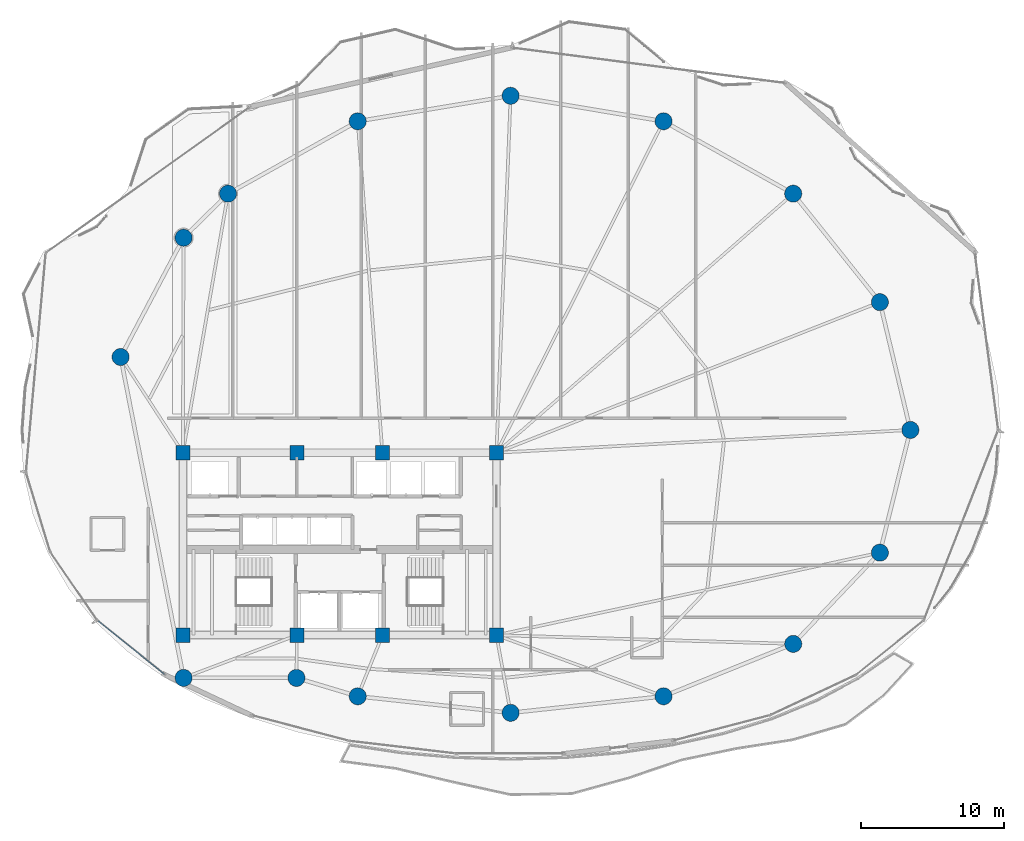
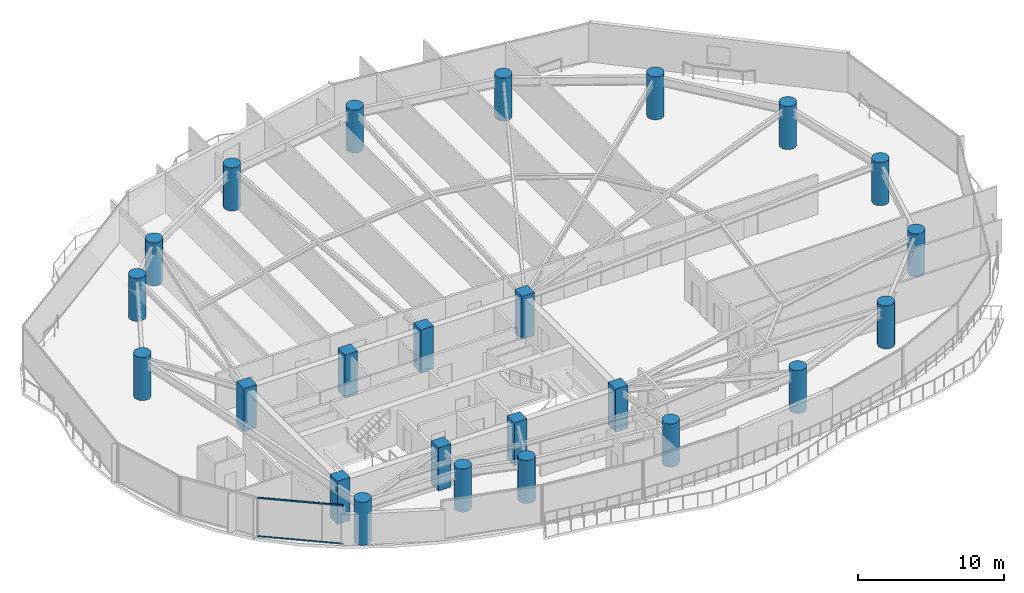
# One storey, part 1 of 33: 24 columns, 2 members, 1 element without a shape of its own.
"""IFC4 building model written with IfcOpenShell, lengths in metres."""

from ifc_helpers import new_model, si_unit, direction, frame, origin, origin_2d, place, context, subcontext, project, spatial, rectangle, hollow_rectangle, circle, extrude, material, layer, layer_set, material_profile, profile_set, type_object, element, aggregate, save


model = new_model("IFC4")

# Units and contexts
model_context = context("Model", 3, precision=1e-05, world=origin(), true_north=direction((0.0, 1.0)))
body_context = subcontext(model_context, "Body", "Model", "MODEL_VIEW")
ifc_project = project(units=[si_unit("LENGTHUNIT", "METRE"), si_unit("AREAUNIT", "SQUARE_METRE"), si_unit("VOLUMEUNIT", "CUBIC_METRE"), si_unit("PLANEANGLEUNIT", "RADIAN"), si_unit("MASSUNIT", "GRAM", prefix="KILO")], contexts=[model_context])

# Site, building, storey
site_placement = place(None, origin())
site = spatial("IfcSite", under=ifc_project, at=site_placement, CompositionType="ELEMENT")
building_placement = place(site_placement, origin())
building = spatial("IfcBuilding", under=site, at=building_placement, Name="Kazevale Care Tower and Concert Hall", CompositionType="ELEMENT")
storey_placement = place(building_placement, frame((0.0, 0.0, 178.199951171875)))
storey = spatial("IfcBuildingStorey", under=building, at=storey_placement, Name="L47", CompositionType="ELEMENT", Elevation=178.199951171875)

# Columns
ifc_material_1 = material(Name="Concrete C60", Category="concrete")
ifc_material_profile_1 = material_profile(ifc_material_1, rectangle(XDim=1.0, YDim=1.0, at=origin_2d()), Name="RC-SQ1000")
ifc_profile_set_1 = profile_set([ifc_material_profile_1], Name="Concrete C60")
column_type_1 = type_object("IfcColumnType", Name="Core Column SQ1000 C60", PredefinedType="COLUMN", material=ifc_profile_set_1)
for number, where, z_axis, x_axis, name in (
    (1, (22.0, 23.60009765625, 0.0), (0.0, 0.0, 1.0), (1.0, 0.0, 0.0), "col:L47:CC-01"),
    (2, (30.0, 23.60009765625, 0.0), (0.0, 0.0, 1.0), (1.0, 0.0, 0.0), "col:L47:CC-02"),
    (3, (36.0, 23.60009765625, 0.0), (0.0, 0.0, 1.0), (1.0, 0.0, 0.0), "col:L47:CC-03"),
    (4, (44.0, 23.60009765625, 0.0), (0.0, 0.0, 1.0), (1.0, 0.0, 0.0), "col:L47:CC-04"),
    (5, (44.0, 36.39990234375, 0.0), (0.0, 0.0, 1.0), (1.0, 0.0, 0.0), "col:L47:CC-05"),
    (6, (36.0, 36.39990234375, 0.0), (0.0, 0.0, 1.0), (1.0, 0.0, 0.0), "col:L47:CC-06"),
    (7, (30.0, 36.39990234375, 0.0), (0.0, 0.0, 1.0), (1.0, 0.0, 0.0), "col:L47:CC-07"),
    (8, (22.0, 36.39990234375, 0.0), (0.0, 0.0, 1.0), (1.0, 0.0, 0.0), "col:L47:CC-08"),
):
    element("IfcColumn", number, at=place(storey_placement, frame(where, z_axis=z_axis, x_axis=x_axis)), inside=storey, type_object=column_type_1, Name=name, PredefinedType="COLUMN", context=body_context, shape_type="SweptSolid", body=[
        extrude(rectangle(XDim=1.0, YDim=1.0, at=origin_2d()), origin(), (0.0, 0.0, 1.0), 3.60009765625),
    ])
ifc_material_profile_2 = material_profile(ifc_material_1, circle(Radius=0.60009765625, at=origin_2d()), Name="RC-CIR1200")
ifc_profile_set_2 = profile_set([ifc_material_profile_2], Name="Concrete C60")
column_type_2 = type_object("IfcColumnType", Name="Perimeter Column CIR1200 C60", PredefinedType="COLUMN", material=ifc_profile_set_2)
for number, where, z_axis, x_axis, name in (
    (9, (73.050048828125, 38.0, 0.0), (0.0, 0.0, 1.0), (1.0, 0.0, 0.0), "col:L47:PC-01"),
    (10, (70.909912109375, 46.969970703125, 0.0), (0.0, 0.0, 1.0), (1.0, 0.0, 0.0), "col:L47:PC-02"),
    (11, (64.830078125, 54.580078125, 0.0), (0.0, 0.0, 1.0), (1.0, 0.0, 0.0), "col:L47:PC-03"),
    (12, (55.72998046875, 59.659912109375, 0.0), (0.0, 0.0, 1.0), (1.0, 0.0, 0.0), "col:L47:PC-04"),
    (13, (45.0, 61.449951171875, 0.0), (0.0, 0.0, 1.0), (1.0, 0.0, 0.0), "col:L47:PC-05"),
    (14, (34.27001953125, 59.659912109375, 0.0), (0.0, 0.0, 1.0), (1.0, 0.0, 0.0), "col:L47:PC-06"),
    (15, (25.169921875, 54.580078125, 0.0), (0.0, 0.0, 1.0), (1.0, 0.0, 0.0), "col:L47:PC-07"),
    (16, (22.050048828125, 51.489990234375, 0.0), (0.0, 0.0, 1.0), (1.0, 0.0, 0.0), "col:L47:PC-08"),
    (17, (17.6298828125, 43.1201171875, 0.0), (0.0, 0.0, 1.0), (1.0, 0.0, 0.0), "col:L47:PC-09"),
    (18, (22.050048828125, 20.60009765625, 0.0), (0.0, 0.0, 1.0), (1.0, 0.0, 0.0), "col:L47:PC-10"),
    (19, (29.969970703125, 20.60009765625, 0.0), (0.0, 0.0, 1.0), (1.0, 0.0, 0.0), "col:L47:PC-11"),
    (20, (34.27001953125, 19.31005859375, 0.0), (0.0, 0.0, 1.0), (1.0, 0.0, 0.0), "col:L47:PC-12"),
    (21, (45.0, 18.14990234375, 0.0), (0.0, 0.0, 1.0), (1.0, 0.0, 0.0), "col:L47:PC-13"),
    (22, (55.72998046875, 19.31005859375, 0.0), (0.0, 0.0, 1.0), (1.0, 0.0, 0.0), "col:L47:PC-14"),
    (23, (64.830078125, 22.989990234375, 0.0), (0.0, 0.0, 1.0), (1.0, 0.0, 0.0), "col:L47:PC-15"),
    (24, (70.909912109375, 29.389892578125, 0.0), (0.0, 0.0, 1.0), (1.0, 0.0, 0.0), "col:L47:PC-16"),
):
    element("IfcColumn", number, at=place(storey_placement, frame(where, z_axis=z_axis, x_axis=x_axis)), inside=storey, type_object=column_type_2, Name=name, PredefinedType="COLUMN", context=body_context, shape_type="SweptSolid", body=[
        extrude(circle(Radius=0.60009765625, at=origin_2d()), origin(), (0.0, 0.0, 1.0), 3.60009765625),
    ])

# Curtain wall, members
ifc_material_2 = material(Name="Aluminium 6063-T6 and Low-E Glass", Category="aluminium")
ifc_layer = layer(ifc_material_2, 0.179931640625)
ifc_layer_set = layer_set([ifc_layer], Name="Aluminium 6063-T6 and Low-E Glass")
curtain_wall_type = type_object("IfcCurtainWallType", Name="Sheltered Concave Balcony Curtain Wall CW-5", PredefinedType="NOTDEFINED", material=ifc_layer_set)
curtain_wall_placement = place(storey_placement, origin())
curtain_wall = element("IfcCurtainWall", 25, at=curtain_wall_placement, inside=storey, type_object=curtain_wall_type, Name="cw:L47:f10", PredefinedType="NOTDEFINED")
ifc_material_3 = material(Name="Aluminium 6063-T6", Category="aluminium")
ifc_material_profile_3 = material_profile(ifc_material_3, hollow_rectangle(XDim=0.074951171875, YDim=0.1201171875, WallThickness=0.00390625, at=origin_2d()), Name="ALU75x120x4")
ifc_profile_set_3 = profile_set([ifc_material_profile_3], Name="Aluminium 6063-T6")
member_type = type_object("IfcMemberType", Name="CW-5 Transom ALU75x120x4", PredefinedType="USERDEFINED", material=ifc_profile_set_3)
member_1_placement = place(storey_placement, frame((20.711669921875, 20.85009765625, 0.03759765625), z_axis=(-0.779097461373, 0.626902819966, 0.0), x_axis=(-0.626902819966, -0.779097461373, 0.0)))
member_1 = element("IfcMember", 26, at=member_1_placement, type_object=member_type, Name="CW-5 transom 1.1", ObjectType="TRANSOM", PredefinedType="USERDEFINED", context=body_context, shape_type="SweptSolid", body=[
    extrude(hollow_rectangle(XDim=0.074951171875, YDim=0.1201171875, WallThickness=0.00390625, at=origin_2d()), origin(), (0.0, 0.0, 1.0), 5.96728515625),
])
member_2_placement = place(storey_placement, frame((20.711669921875, 20.85009765625, 3.242431640625), z_axis=(-0.779097461373, 0.626902819966, 0.0), x_axis=(-0.626902819966, -0.779097461373, 0.0)))
member_2 = element("IfcMember", 27, at=member_2_placement, type_object=member_type, Name="CW-5 transom 1.2", ObjectType="TRANSOM", PredefinedType="USERDEFINED", context=body_context, shape_type="SweptSolid", body=[
    extrude(hollow_rectangle(XDim=0.074951171875, YDim=0.1201171875, WallThickness=0.00390625, at=origin_2d()), origin(), (0.0, 0.0, 1.0), 5.96728515625),
])
aggregate(curtain_wall, [member_1, member_2])

save(model, "model.ifc")
